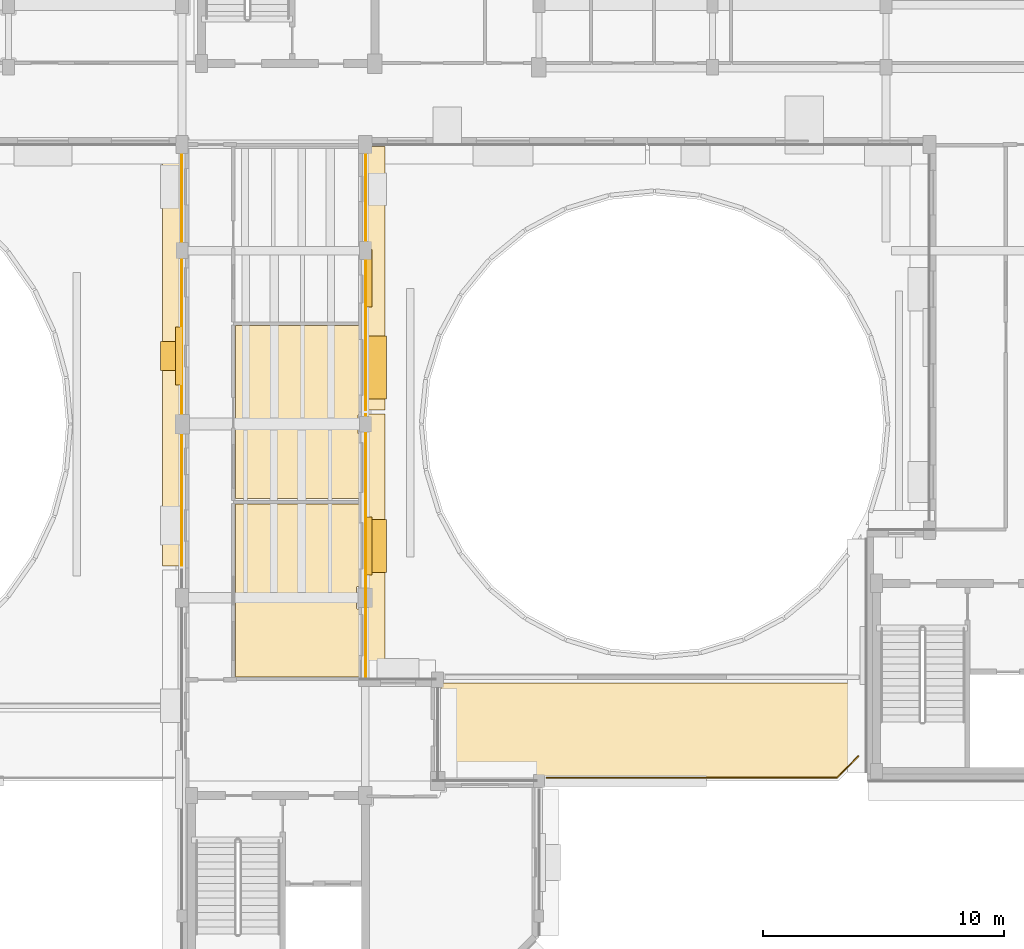
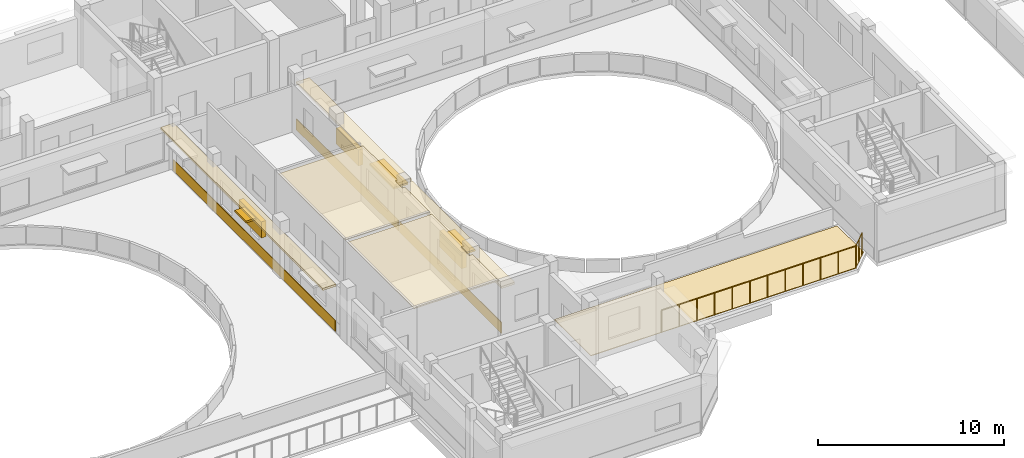
# One storey, part 72 of 78: 9 coverings, 6 shading devices, 1 railing.
"""IFC4 building model written with IfcOpenShell, lengths in metres."""

import ifcopenshell
import ifcopenshell.guid

model = None  # the IFC model being written
_history = None  # IfcOwnerHistory: only IFC2X3 demands one
_inside = {}  # id of a spatial element -> (the spatial element, [elements in it])
_under = {}  # id of a project, library or spatial element -> (it, [spatial elements below it])
_declared = {}  # id of a project -> (the project, [libraries it declares])
_typed = {}  # id of a type object -> (the type object, [elements of that type])
_made_of = {}  # id of a material, layer set ... -> (it, [elements and type objects made of it])


def new_model(schema):
    """Start an empty IFC model of exactly this schema.

    Asked for "IFC4X3", IfcOpenShell would pick the latest addendum, in which some entities
    have other attributes; the version numbers below select the first issue.
    IFC2X3 requires an IfcOwnerHistory on every rooted entity: one is made here for all.
    """
    global model, _history
    if schema == "IFC4X3":
        model = ifcopenshell.file(schema_version=(4, 3, 0, 0))
    else:
        model = ifcopenshell.file(schema=schema)
    _inside.clear()
    _under.clear()
    _declared.clear()
    _typed.clear()
    _made_of.clear()
    _history = None
    if model.schema == "IFC2X3":
        org = make("IfcOrganization", Name="unknown")
        user = make(
            "IfcPersonAndOrganization",
            ThePerson=make("IfcPerson", FamilyName="unknown"),
            TheOrganization=org,
        )
        app = make(
            "IfcApplication",
            ApplicationDeveloper=org,
            Version="unknown",
            ApplicationFullName="unknown",
            ApplicationIdentifier="unknown",
        )
        _history = make(
            "IfcOwnerHistory",
            OwningUser=user,
            OwningApplication=app,
            ChangeAction="ADDED",
            CreationDate=0,
        )
    return model


def make(cls, **values):
    """One entity of the class cls with the attributes given. An attribute that is None is left unset."""
    return model.create_entity(
        cls, **{name: value for name, value in values.items() if value is not None}
    )


def rooted(cls, **values):
    """An entity with a GlobalId (a new one), such as an element, a storey or a relation."""
    return make(cls, GlobalId=ifcopenshell.guid.new(), OwnerHistory=_history, **values)


def si_unit(unit_type, name, prefix=None):
    """IfcSIUnit, for example si_unit("LENGTHUNIT", "METRE", prefix="MILLI")."""
    return make("IfcSIUnit", UnitType=unit_type, Prefix=prefix, Name=name)


def assignment(units):
    """IfcUnitAssignment: the units of a project."""
    return None if units is None else make("IfcUnitAssignment", Units=units)


def point(xyz):
    """IfcCartesianPoint."""
    return None if xyz is None else make("IfcCartesianPoint", Coordinates=xyz)


def direction(xyz):
    """IfcDirection."""
    return None if xyz is None else make("IfcDirection", DirectionRatios=xyz)


def frame(location, z_axis=None, x_axis=None):
    """IfcAxis2Placement3D, a coordinate frame: its origin and axes. An axis left out is left unset."""
    return make(
        "IfcAxis2Placement3D",
        Location=point(location),
        Axis=direction(z_axis),
        RefDirection=direction(x_axis),
    )


def frame_2d(location, x_axis=None):
    """IfcAxis2Placement2D, a coordinate frame in the plane: its origin and x axis."""
    return make(
        "IfcAxis2Placement2D", Location=point(location), RefDirection=direction(x_axis)
    )


def origin():
    """The frame at (0, 0, 0) with its axes left unset."""
    return frame((0.0, 0.0, 0.0))


def origin_2d():
    """The frame at (0, 0) in the plane with its x axis left unset."""
    return frame_2d((0.0, 0.0))


def place(relative_to, where):
    """IfcLocalPlacement: puts the frame where relative to a parent placement (None: the world)."""
    return make(
        "IfcLocalPlacement", PlacementRelTo=relative_to, RelativePlacement=where
    )


def context(
    kind, dimensions, precision=None, world=None, true_north=None, identifier=None
):
    """IfcGeometricRepresentationContext, for example the 3D "Model" context."""
    return make(
        "IfcGeometricRepresentationContext",
        ContextIdentifier=identifier,
        ContextType=kind,
        CoordinateSpaceDimension=dimensions,
        Precision=precision,
        WorldCoordinateSystem=world,
        TrueNorth=true_north,
    )


def subcontext(parent, identifier, kind, view, scale=None):
    """IfcGeometricRepresentationSubContext, for example "Body" below "Model"."""
    return make(
        "IfcGeometricRepresentationSubContext",
        ContextIdentifier=identifier,
        ContextType=kind,
        ParentContext=parent,
        TargetScale=scale,
        TargetView=view,
    )


def project(units=None, contexts=None):
    """IfcProject with its units and contexts."""
    return rooted(
        "IfcProject",
        Name="project",
        RepresentationContexts=contexts,
        UnitsInContext=assignment(units),
    )


def spatial(cls, under=None, at=None, **own):
    """A site, building, storey or space (cls), placed at a placement, below another one or the project."""
    s = rooted(cls, ObjectPlacement=at, **own)
    if under is not None:
        _under.setdefault(under.id(), (under, []))[1].append(s)
    return s


def polyline(points):
    """IfcPolyline through the points."""
    return make("IfcPolyline", Points=[point(p) for p in points])


def profile(cls, at=None, kind="AREA", **sizes):
    """A parametric profile (cls). Its sizes go by their IFC names, for example OverallWidth=200.0."""
    return make(cls, ProfileType=kind, Position=at, **sizes)


def rectangle(**sizes):
    """IfcRectangleProfileDef."""
    return profile("IfcRectangleProfileDef", **sizes)


def circle(**sizes):
    """IfcCircleProfileDef."""
    return profile("IfcCircleProfileDef", **sizes)


def outline(outer, holes=None, kind="AREA"):
    """IfcArbitraryClosedProfileDef: a profile drawn as a closed curve; with holes, ...WithVoids."""
    if holes is None:
        return make("IfcArbitraryClosedProfileDef", ProfileType=kind, OuterCurve=outer)
    return make(
        "IfcArbitraryProfileDefWithVoids",
        ProfileType=kind,
        OuterCurve=outer,
        InnerCurves=holes,
    )


def extrude(swept, where, along, depth):
    """IfcExtrudedAreaSolid: the profile swept, set in the frame where, extruded along a direction by depth."""
    return make(
        "IfcExtrudedAreaSolid",
        SweptArea=swept,
        Position=where,
        ExtrudedDirection=direction(along),
        Depth=depth,
    )


def shape(context_of_items, identifier, shape_type, items):
    """IfcShapeRepresentation: the items that make up one representation, for example the "Body"."""
    return make(
        "IfcShapeRepresentation",
        ContextOfItems=context_of_items,
        RepresentationIdentifier=identifier,
        RepresentationType=shape_type,
        Items=items,
    )


def material(Name=None, Category=None):
    """IfcMaterial."""
    return make("IfcMaterial", Name=Name, Category=Category)


def layer(
    of_material, thickness, ventilated=None, Name=None, Category=None, Priority=None
):
    """IfcMaterialLayer: one layer of a wall or slab, of a material (None: an air gap)."""
    return make(
        "IfcMaterialLayer",
        Material=of_material,
        LayerThickness=thickness,
        IsVentilated=ventilated,
        Name=Name,
        Category=Category,
        Priority=Priority,
    )


def layer_set(layers, Name=None):
    """IfcMaterialLayerSet."""
    return make("IfcMaterialLayerSet", MaterialLayers=layers, LayerSetName=Name)


def made_of(thing, what):
    """Note that an element or type object is made of a material, layer set ...; save() writes the relation."""
    if what is not None:
        _made_of.setdefault(what.id(), (what, []))[1].append(thing)
    return thing


def type_object(cls, material=None, **own):
    """A type object (cls), such as IfcWallType, which elements share."""
    return made_of(rooted(cls, **own), material)


def element(
    cls,
    number,
    at=None,
    inside=None,
    cuts=None,
    type_object=None,
    material=None,
    context=None,
    identifier="Body",
    shape_type=None,
    held_by="IfcProductDefinitionShape",
    body=None,
    shapes=None,
    **own,
):
    """One element of the class cls, such as IfcWall. Its Tag is "e" and its number.

    at: its placement. inside: the storey or other place that contains it. cuts: it is an
    opening in that element (IfcRelVoidsElement). A single representation is given by context,
    identifier, shape_type and body (its items); several are given by shapes. held_by: the class
    of the entity that holds the representations. save() writes the other relations.
    """
    e = rooted(cls, Tag="e%d" % number, ObjectPlacement=at, **own)
    if body is not None:
        shapes = [shape(context, identifier, shape_type, body)]
    if shapes is not None:
        e.Representation = make(held_by, Representations=shapes)
    if inside is not None:
        _inside.setdefault(inside.id(), (inside, []))[1].append(e)
    if cuts is not None:
        rooted(
            "IfcRelVoidsElement", RelatingBuildingElement=cuts, RelatedOpeningElement=e
        )
    if type_object is not None:
        _typed.setdefault(type_object.id(), (type_object, []))[1].append(e)
    return made_of(e, material)


def aggregate(whole, parts):
    """IfcRelAggregates: a whole, such as a stair, and the parts it consists of."""
    return rooted("IfcRelAggregates", RelatingObject=whole, RelatedObjects=parts)


def save(model, path):
    """Write the relations noted so far, then the file.

    IfcRelAggregates (storeys below a building ...), IfcRelContainedInSpatialStructure (elements
    in a storey), IfcRelDefinesByType, IfcRelAssociatesMaterial and IfcRelDeclares: one each for
    every whole, place, type object, material and project.
    """
    for whole, parts in _under.values():
        aggregate(whole, parts)
    for where, things in _inside.values():
        rooted(
            "IfcRelContainedInSpatialStructure",
            RelatedElements=things,
            RelatingStructure=where,
        )
    for kind, things in _typed.values():
        rooted("IfcRelDefinesByType", RelatedObjects=things, RelatingType=kind)
    for what, things in _made_of.values():
        rooted("IfcRelAssociatesMaterial", RelatedObjects=things, RelatingMaterial=what)
    for by, libraries in _declared.values():
        rooted("IfcRelDeclares", RelatingContext=by, RelatedDefinitions=libraries)
    model.write(path)


model = new_model("IFC4")

# Units and contexts
model_context = context("Model", 3, precision=1e-05, world=origin(), true_north=direction((0.0, 1.0)))
body_context = subcontext(model_context, "Body", "Model", "MODEL_VIEW")
ifc_project = project(units=[si_unit("LENGTHUNIT", "METRE"), si_unit("AREAUNIT", "SQUARE_METRE"), si_unit("VOLUMEUNIT", "CUBIC_METRE"), si_unit("PLANEANGLEUNIT", "RADIAN"), si_unit("MASSUNIT", "GRAM", prefix="KILO")], contexts=[model_context])

# Site, building, storey
site_placement = place(None, origin())
site = spatial("IfcSite", under=ifc_project, at=site_placement, CompositionType="ELEMENT")
building_placement = place(site_placement, origin())
building = spatial("IfcBuilding", under=site, at=building_placement, Name="Kelanivale Promenade Academy", CompositionType="ELEMENT")
storey_placement = place(building_placement, frame((0.0, 0.0, 16.199951171875)))
storey = spatial("IfcBuildingStorey", under=building, at=storey_placement, Name="L04", CompositionType="ELEMENT", Elevation=16.199951171875)

# Coverings
ifc_material_1 = material(Name="Warm ivory Art Deco stucco frieze band 40 mm", Category="masonry")
ifc_layer_1 = layer(ifc_material_1, 0.0400390625)
ifc_layer_set_1 = layer_set([ifc_layer_1], Name="Warm ivory Art Deco stucco frieze band 40 mm")
covering_type_1 = type_object("IfcCoveringType", Name="COV-CLD2 Warm ivory Art Deco stucco frieze ba", PredefinedType="CLADDING", material=ifc_layer_set_1)
covering_1_placement = place(storey_placement, frame((87.199951171875, 51.75, 3.01513671875), z_axis=(0.0, 0.0, 1.0), x_axis=(0.0, 1.0, 0.0)))
element("IfcCovering", 1, at=covering_1_placement, inside=storey, type_object=covering_type_1, Name="Art Deco projecting 820 mm streamline sunshade eyebrow ledge", PredefinedType="CLADDING", context=body_context, shape_type="SweptSolid", body=[
    extrude(rectangle(XDim=10.93994140625, YDim=0.820068359375, at=origin_2d()), origin(), (0.0, 0.0, 1.0), 0.139892578125),
])
covering_2_placement = place(storey_placement, frame((86.81494140625, 51.75, 0.06005859375), z_axis=(0.0, 0.0, 1.0), x_axis=(0.0, 1.0, 0.0)))
element("IfcCovering", 2, at=covering_2_placement, inside=storey, type_object=covering_type_1, Name="Art Deco ivory stucco sill frieze band", PredefinedType="CLADDING", context=body_context, shape_type="SweptSolid", body=[
    extrude(rectangle(XDim=10.93994140625, YDim=0.0400390625, at=origin_2d()), origin(), (0.0, 0.0, 1.0), 0.719970703125),
])
covering_3_placement = place(storey_placement, frame((87.199951171875, 62.85009765625, 3.06494140625), z_axis=(0.0, 0.0, 1.0), x_axis=(0.0, 1.0, 0.0)))
element("IfcCovering", 3, at=covering_3_placement, inside=storey, type_object=covering_type_1, Name="Art Deco projecting 820 mm streamline sunshade eyebrow ledge", PredefinedType="CLADDING", context=body_context, shape_type="SweptSolid", body=[
    extrude(rectangle(XDim=10.93994140625, YDim=0.820068359375, at=origin_2d()), origin(), (0.0, 0.0, 1.0), 0.139892578125),
])
covering_4_placement = place(storey_placement, frame((86.81494140625, 62.85009765625, 0.06005859375), z_axis=(0.0, 0.0, 1.0), x_axis=(0.0, 1.0, 0.0)))
element("IfcCovering", 4, at=covering_4_placement, inside=storey, type_object=covering_type_1, Name="Art Deco ivory stucco sill frieze band", PredefinedType="CLADDING", context=body_context, shape_type="SweptSolid", body=[
    extrude(rectangle(XDim=10.93994140625, YDim=0.0400390625, at=origin_2d()), origin(), (0.0, 0.0, 1.0), 0.719970703125),
])
covering_5_placement = place(storey_placement, frame((78.800048828125, 59.6201171875, 3.01513671875), z_axis=(0.0, 0.0, 1.0), x_axis=(0.0, -1.0, 0.0)))
element("IfcCovering", 5, at=covering_5_placement, inside=storey, type_object=covering_type_1, Name="Art Deco projecting 820 mm streamline sunshade eyebrow ledge", PredefinedType="CLADDING", context=body_context, shape_type="SweptSolid", body=[
    extrude(rectangle(XDim=17.39990234375, YDim=0.820068359375, at=origin_2d()), origin(), (0.0, 0.0, 1.0), 0.139892578125),
])
covering_6_placement = place(storey_placement, frame((79.18505859375, 59.6201171875, 0.06005859375), z_axis=(0.0, 0.0, 1.0), x_axis=(0.0, -1.0, 0.0)))
element("IfcCovering", 6, at=covering_6_placement, inside=storey, type_object=covering_type_1, Name="Art Deco ivory stucco sill frieze band", PredefinedType="CLADDING", context=body_context, shape_type="SweptSolid", body=[
    extrude(rectangle(XDim=17.39990234375, YDim=0.0400390625, at=origin_2d()), origin(), (0.0, 0.0, 1.0), 0.719970703125),
])
ifc_material_2 = material(Name="Acoustic mineral-fibre ceiling tile 25 mm", Category="gypsum")
ifc_layer_2 = layer(ifc_material_2, 0.02490234375)
ifc_layer_set_2 = layer_set([ifc_layer_2], Name="Acoustic mineral-fibre ceiling tile 25 mm")
covering_type_2 = type_object("IfcCoveringType", Name="COV-CLG1 Acoustic mineral-fibre ceiling tile ", PredefinedType="CEILING", material=ifc_layer_set_2)
covering_7_placement = place(storey_placement, frame((0.0, 0.0, 3.550048828125)))
element("IfcCovering", 7, at=covering_7_placement, inside=storey, type_object=covering_type_2, Name="Sixth Form Classroom acoustic suspended ceiling", PredefinedType="CEILING", context=body_context, shape_type="SweptSolid", body=[
    extrude(outline(polyline([(86.64990234375, 46.31005859375), (86.64990234375, 49.139892578125), (86.47998046875, 49.139892578125), (86.47607421875, 49.139892578125), (86.471923828125, 49.14111328125), (86.468017578125, 49.14208984375), (86.465087890625, 49.14306640625), (86.4609375, 49.14501953125), (86.4580078125, 49.14697265625), (86.455078125, 49.14892578125), (86.451904296875, 49.152099609375), (86.448974609375, 49.155029296875), (86.447021484375, 49.157958984375), (86.445068359375, 49.160888671875), (86.443115234375, 49.1650390625), (86.44189453125, 49.16796875), (86.44091796875, 49.172119140625), (86.43994140625, 49.176025390625), (86.43994140625, 49.179931640625), (86.43994140625, 50.02001953125), (86.43994140625, 50.02392578125), (86.44091796875, 50.028076171875), (86.44189453125, 50.031982421875), (86.443115234375, 50.034912109375), (86.445068359375, 50.0390625), (86.447021484375, 50.0419921875), (86.448974609375, 50.044921875), (86.451904296875, 50.048095703125), (86.455078125, 50.051025390625), (86.4580078125, 50.052978515625), (86.4609375, 50.054931640625), (86.465087890625, 50.056884765625), (86.468017578125, 50.05810546875), (86.471923828125, 50.05908203125), (86.47607421875, 50.06005859375), (86.47998046875, 50.06005859375), (86.64990234375, 50.06005859375), (86.64990234375, 53.489990234375), (81.409912109375, 53.489990234375), (81.409912109375, 46.31005859375), (86.64990234375, 46.31005859375)])), origin(), (0.0, 0.0, 1.0), 0.02490234375),
])
covering_8_placement = place(storey_placement, frame((0.0, 0.0, 3.550048828125)))
element("IfcCovering", 8, at=covering_8_placement, inside=storey, type_object=covering_type_2, Name="ICT Computing Studio acoustic suspended ceiling", PredefinedType="CEILING", context=body_context, shape_type="SweptSolid", body=[
    extrude(outline(polyline([(86.64990234375, 53.7099609375), (86.64990234375, 56.4150390625), (86.530029296875, 56.4150390625), (86.52587890625, 56.4150390625), (86.52197265625, 56.416015625), (86.51806640625, 56.4169921875), (86.514892578125, 56.41796875), (86.510986328125, 56.419921875), (86.508056640625, 56.422119140625), (86.5048828125, 56.424072265625), (86.501953125, 56.427001953125), (86.4990234375, 56.429931640625), (86.4970703125, 56.43310546875), (86.4951171875, 56.43603515625), (86.492919921875, 56.43994140625), (86.491943359375, 56.443115234375), (86.490966796875, 56.447021484375), (86.489990234375, 56.450927734375), (86.489990234375, 56.455078125), (86.489990234375, 57.14501953125), (86.489990234375, 57.14892578125), (86.490966796875, 57.153076171875), (86.491943359375, 57.156982421875), (86.492919921875, 57.159912109375), (86.4951171875, 57.1640625), (86.4970703125, 57.1669921875), (86.4990234375, 57.169921875), (86.501953125, 57.173095703125), (86.5048828125, 57.176025390625), (86.508056640625, 57.177978515625), (86.510986328125, 57.179931640625), (86.514892578125, 57.181884765625), (86.51806640625, 57.18310546875), (86.52197265625, 57.18408203125), (86.52587890625, 57.18505859375), (86.530029296875, 57.18505859375), (86.64990234375, 57.18505859375), (86.64990234375, 60.889892578125), (81.409912109375, 60.889892578125), (81.409912109375, 53.7099609375), (86.64990234375, 53.7099609375)])), origin(), (0.0, 0.0, 1.0), 0.02490234375),
])
ifc_material_3 = material(Name="Impact-absorbing EPDM rooftop Play Deck surfacing 40 mm", Category="masonry")
ifc_layer_3 = layer(ifc_material_3, 0.0400390625)
ifc_layer_set_3 = layer_set([ifc_layer_3], Name="Impact-absorbing EPDM rooftop Play Deck surfacing 40 mm")
covering_type_3 = type_object("IfcCoveringType", Name="COV-FLR3 Impact-absorbing EPDM rooftop Play D", PredefinedType="FLOORING", material=ifc_layer_set_3)
covering_9_placement = place(storey_placement, origin())
element("IfcCovering", 9, at=covering_9_placement, inside=storey, type_object=covering_type_3, Name="East Lotus Courtyard Rooftop Play Deck EPDM safety surfacing", PredefinedType="FLOORING", context=body_context, shape_type="SweptSolid", body=[
    extrude(outline(polyline([(106.365966796875, 42.139892578125), (107.4599609375, 43.23388671875), (107.4599609375, 46.06005859375), (89.93994140625, 46.06005859375), (89.93994140625, 42.139892578125), (106.365966796875, 42.139892578125)])), origin(), (0.0, 0.0, 1.0), 0.0400390625),
])

# Railing
ifc_material_4 = material(Name="Powder-coated galvanized steel and stainless top rail", Category="steel")
railing_type = type_object("IfcRailingType", Name="GR-02 Play Deck Balustrade 1500mm", PredefinedType="BALUSTRADE", material=ifc_material_4)
railing_placement = place(storey_placement, frame((107.25, 43.02392578125, 0.0)))
element("IfcRailing", 10, at=railing_placement, inside=storey, type_object=railing_type, Name="East Lotus Courtyard Rooftop Play Deck 1500 mm safety balustrade", PredefinedType="BALUSTRADE", context=body_context, shape_type="SweptSolid", body=[
    extrude(circle(Radius=0.02392578125, at=origin_2d()), frame((0.0, 0.0, 1.47607421875), z_axis=(-0.707106781187, -0.707106781187, 0.0), x_axis=(0.707106781187, -0.707106781187, 0.0)), (0.0, 0.0, 1.0), 1.250244140625),
    extrude(circle(Radius=0.02392578125, at=origin_2d()), frame((-0.884033203125, -0.884033203125, 1.47607421875), z_axis=(-1.0, 0.0, 0.0), x_axis=(0.0, -1.0, 0.0)), (0.0, 0.0, 1.0), 12.0458984375),
    extrude(circle(Radius=0.02099609375, at=origin_2d()), origin(), (0.0, 0.0, 1.0), 1.451904296875),
    extrude(circle(Radius=0.02099609375, at=origin_2d()), frame((-0.44189453125, -0.44189453125, 0.0)), (0.0, 0.0, 1.0), 1.451904296875),
    extrude(circle(Radius=0.02099609375, at=origin_2d()), frame((-0.884033203125, -0.884033203125, 0.0)), (0.0, 0.0, 1.0), 1.451904296875),
    extrude(circle(Radius=0.02099609375, at=origin_2d()), frame((-1.97900390625, -0.884033203125, 0.0)), (0.0, 0.0, 1.0), 1.451904296875),
    extrude(circle(Radius=0.02099609375, at=origin_2d()), frame((-3.07421875, -0.884033203125, 0.0)), (0.0, 0.0, 1.0), 1.451904296875),
    extrude(circle(Radius=0.02099609375, at=origin_2d()), frame((-4.169189453125, -0.884033203125, 0.0)), (0.0, 0.0, 1.0), 1.451904296875),
    extrude(circle(Radius=0.02099609375, at=origin_2d()), frame((-5.264404296875, -0.884033203125, 0.0)), (0.0, 0.0, 1.0), 1.451904296875),
    extrude(circle(Radius=0.02099609375, at=origin_2d()), frame((-6.359375, -0.884033203125, 0.0)), (0.0, 0.0, 1.0), 1.451904296875),
    extrude(circle(Radius=0.02099609375, at=origin_2d()), frame((-7.45458984375, -0.884033203125, 0.0)), (0.0, 0.0, 1.0), 1.451904296875),
    extrude(circle(Radius=0.02099609375, at=origin_2d()), frame((-8.549560546875, -0.884033203125, 0.0)), (0.0, 0.0, 1.0), 1.451904296875),
    extrude(circle(Radius=0.02099609375, at=origin_2d()), frame((-9.644775390625, -0.884033203125, 0.0)), (0.0, 0.0, 1.0), 1.451904296875),
    extrude(circle(Radius=0.02099609375, at=origin_2d()), frame((-10.73974609375, -0.884033203125, 0.0)), (0.0, 0.0, 1.0), 1.451904296875),
    extrude(circle(Radius=0.02099609375, at=origin_2d()), frame((-11.8349609375, -0.884033203125, 0.0)), (0.0, 0.0, 1.0), 1.451904296875),
    extrude(circle(Radius=0.02099609375, at=origin_2d()), frame((-12.929931640625, -0.884033203125, 0.0)), (0.0, 0.0, 1.0), 1.451904296875),
])

# Shading devices
ifc_material_5 = material(Name="Precast concrete C40/50", Category="concrete")
ifc_layer_4 = layer(ifc_material_5, 0.1201171875)
ifc_layer_set_4 = layer_set([ifc_layer_4], Name="Precast concrete C40/50")
shading_device_type_1 = type_object("IfcShadingDeviceType", Name="SHD-01 Art Deco Sunshade Eyebrow 900mm", PredefinedType="USERDEFINED", material=ifc_layer_set_4)
shading_device_1_placement = place(storey_placement, frame((87.239990234375, 51.75, 2.510009765625), z_axis=(0.0, 0.0, 1.0), x_axis=(0.0, 1.0, 0.0)))
element("IfcShadingDevice", 11, at=shading_device_1_placement, inside=storey, type_object=shading_device_type_1, Name="Art Deco 900 mm precast chajja window sunshade", ObjectType="SUNSHADE", PredefinedType="USERDEFINED", context=body_context, shape_type="SweptSolid", body=[
    extrude(rectangle(XDim=2.199951171875, YDim=0.89990234375, at=origin_2d()), origin(), (0.0, 0.0, 1.0), 0.1201171875),
])
shading_device_2_placement = place(storey_placement, frame((87.239990234375, 59.14990234375, 2.510009765625), z_axis=(0.0, 0.0, 1.0), x_axis=(0.0, 1.0, 0.0)))
element("IfcShadingDevice", 12, at=shading_device_2_placement, inside=storey, type_object=shading_device_type_1, Name="Art Deco 900 mm precast chajja window sunshade", ObjectType="SUNSHADE", PredefinedType="USERDEFINED", context=body_context, shape_type="SweptSolid", body=[
    extrude(rectangle(XDim=2.60009765625, YDim=0.89990234375, at=origin_2d()), origin(), (0.0, 0.0, 1.0), 0.1201171875),
])
shading_device_3_placement = place(storey_placement, frame((78.760009765625, 59.6201171875, 2.56005859375), z_axis=(0.0, 0.0, 1.0), x_axis=(0.0, -1.0, 0.0)))
element("IfcShadingDevice", 13, at=shading_device_3_placement, inside=storey, type_object=shading_device_type_1, Name="Art Deco 900 mm precast chajja window sunshade", ObjectType="SUNSHADE", PredefinedType="USERDEFINED", context=body_context, shape_type="SweptSolid", body=[
    extrude(rectangle(XDim=1.199951171875, YDim=0.89990234375, at=origin_2d()), origin(), (0.0, 0.0, 1.0), 0.1201171875),
])
ifc_material_6 = material(Name="Bronze anodised aluminium EN AW-6063 T6", Category="aluminium")
ifc_layer_5 = layer(ifc_material_6, 0.080078125)
ifc_layer_set_5 = layer_set([ifc_layer_5], Name="Bronze anodised aluminium EN AW-6063 T6")
shading_device_type_2 = type_object("IfcShadingDeviceType", Name="SHD-02 Perforated Brise-Soleil Screen", PredefinedType="JALOUSIE", material=ifc_layer_set_5)
for number, where, z_axis, x_axis, name in (
    (14, (86.93505859375, 51.75, 1.72509765625), (0.0, 0.0, 1.0), (0.0, 1.0, 0.0), "Perforated Art Deco brise-soleil louvre screen"),
    (15, (86.93505859375, 62.85009765625, 1.72509765625), (0.0, 0.0, 1.0), (0.0, 1.0, 0.0), "Perforated Art Deco brise-soleil louvre screen"),
    (16, (79.06494140625, 59.6201171875, 1.72509765625), (0.0, 0.0, 1.0), (0.0, -1.0, 0.0), "Perforated Art Deco brise-soleil louvre screen"),
):
    element("IfcShadingDevice", number, at=place(storey_placement, frame(where, z_axis=z_axis, x_axis=x_axis)), inside=storey, type_object=shading_device_type_2, Name=name, PredefinedType="JALOUSIE", context=body_context, shape_type="SweptSolid", body=[
        extrude(rectangle(XDim=2.39990234375, YDim=0.280029296875, at=origin_2d()), origin(), (0.0, 0.0, 1.0), 1.050048828125),
    ])

save(model, "model.ifc")
